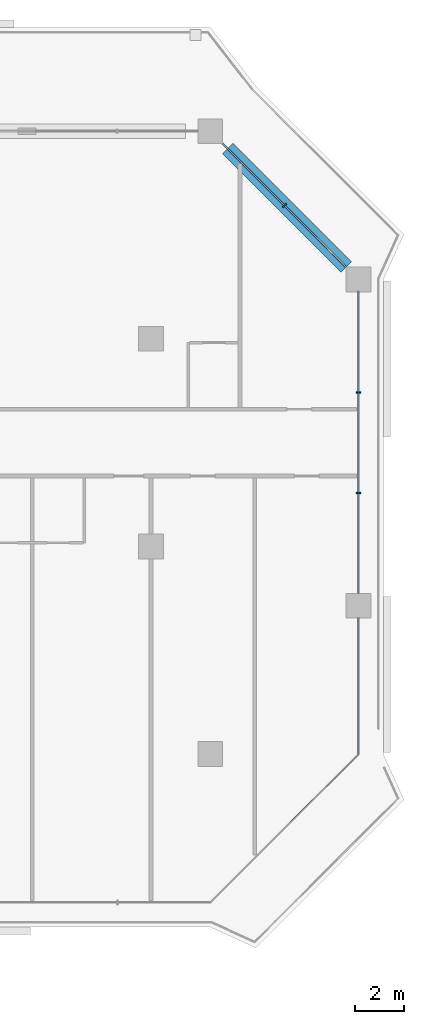
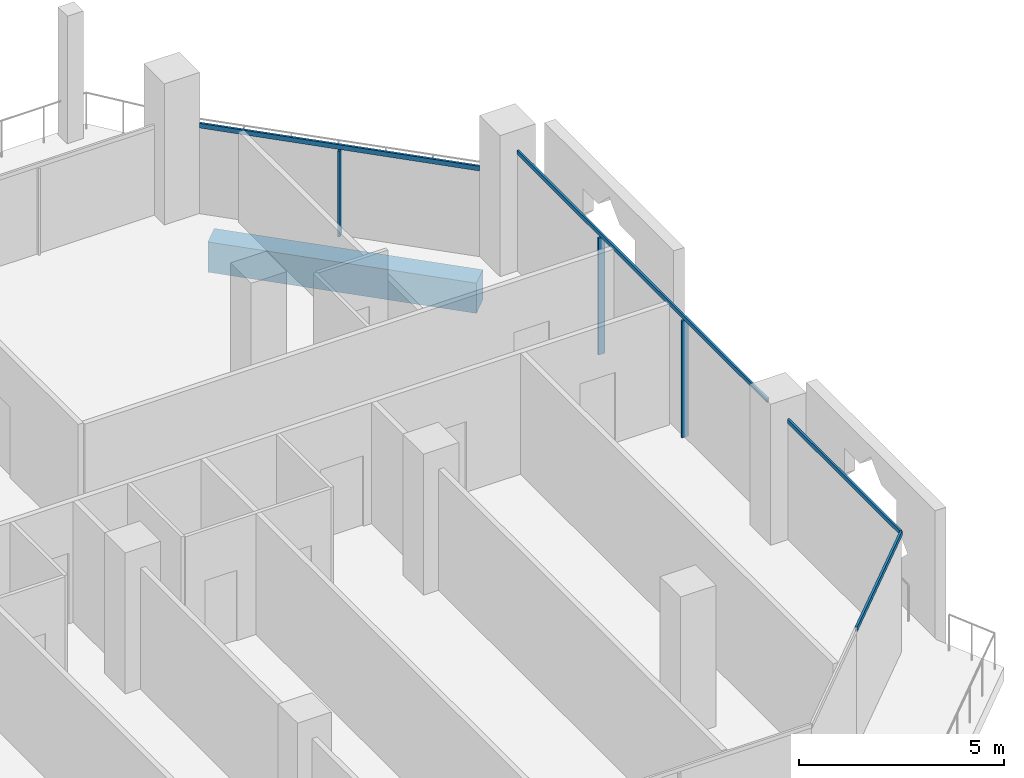
# One storey, part 7 of 22: 7 members, 1 beam, 3 elements without a shape of their own.
"""IFC4 building model written with IfcOpenShell, lengths in metres."""

from ifc_helpers import new_model, si_unit, direction, frame, origin, origin_2d, place, context, subcontext, project, spatial, rectangle, extrude, material, layer, layer_set, material_profile, profile_set, type_object, element, aggregate, save


model = new_model("IFC4")

# Units and contexts
model_context = context("Model", 3, precision=1e-05, world=origin(), true_north=direction((0.0, 1.0)))
body_context = subcontext(model_context, "Body", "Model", "MODEL_VIEW")
ifc_project = project(units=[si_unit("LENGTHUNIT", "METRE"), si_unit("AREAUNIT", "SQUARE_METRE"), si_unit("VOLUMEUNIT", "CUBIC_METRE"), si_unit("PLANEANGLEUNIT", "RADIAN"), si_unit("MASSUNIT", "GRAM", prefix="KILO")], contexts=[model_context])

# Site, building, storey
site_placement = place(None, origin())
site = spatial("IfcSite", under=ifc_project, at=site_placement, CompositionType="ELEMENT")
building_placement = place(site_placement, origin())
building = spatial("IfcBuilding", under=site, at=building_placement, Name="Kawkab Arch Medical Tower", CompositionType="ELEMENT")
storey_placement = place(building_placement, frame((0.0, 0.0, 171.0)))
storey = spatial("IfcBuildingStorey", under=building, at=storey_placement, Name="L39", CompositionType="ELEMENT", Elevation=171.0)

# Curtain wall, members
ifc_material_1 = material(Name="Bronze anodised aluminium curtain wall frame", Category="aluminium")
ifc_layer_1 = layer(ifc_material_1, 0.159912109375)
ifc_layer_set_1 = layer_set([ifc_layer_1], Name="Bronze anodised aluminium curtain wall frame")
curtain_wall_type_1 = type_object("IfcCurtainWallType", Name="CW1 ward curtain wall", PredefinedType="NOTDEFINED", material=ifc_layer_set_1)
placement = place(storey_placement, origin())
curtain_wall_1 = element("IfcCurtainWall", 1, at=placement, inside=storey, type_object=curtain_wall_type_1, Name="CW1 Ward curtain wall R09", PredefinedType="NOTDEFINED")
ifc_material_2 = material(Name="Bronze anodised aluminium curtain wall frame", Category="aluminium")
ifc_material_profile_1 = material_profile(ifc_material_2, rectangle(XDim=0.179931640625, YDim=0.06005859375, at=origin_2d()), Name="AL 60x180")
ifc_profile_set_1 = profile_set([ifc_material_profile_1], Name="Bronze anodised aluminium curtain wall frame")
member_type_1 = type_object("IfcMemberType", Name="CW1 mullion 60 x 180", PredefinedType="MULLION", material=ifc_profile_set_1)
member_1_placement = place(storey_placement, frame((67.199951171875, -14.63330078125, 0.0), z_axis=(0.0, 0.0, 1.0), x_axis=(-1.0, 0.0, 0.0)))
member_1 = element("IfcMember", 2, at=member_1_placement, type_object=member_type_1, Name="CW1 mullion 2.1", PredefinedType="MULLION", context=body_context, shape_type="SweptSolid", body=[
    extrude(rectangle(XDim=0.179931640625, YDim=0.06005859375, at=origin_2d()), origin(), (0.0, 0.0, 1.0), 3.47998046875),
])
member_2_placement = place(storey_placement, frame((67.199951171875, -10.566650390625, 0.0), z_axis=(0.0, 0.0, 1.0), x_axis=(-1.0, 0.0, 0.0)))
member_2 = element("IfcMember", 3, at=member_2_placement, type_object=member_type_1, Name="CW1 mullion 2.2", PredefinedType="MULLION", context=body_context, shape_type="SweptSolid", body=[
    extrude(rectangle(XDim=0.179931640625, YDim=0.06005859375, at=origin_2d()), origin(), (0.0, 0.0, 1.0), 3.47998046875),
])
ifc_material_3 = material(Name="Bronze anodised aluminium curtain wall frame", Category="aluminium")
ifc_material_profile_2 = material_profile(ifc_material_3, rectangle(XDim=0.06005859375, YDim=0.1201171875, at=origin_2d()), Name="AL 60x120")
ifc_profile_set_2 = profile_set([ifc_material_profile_2], Name="Bronze anodised aluminium curtain wall frame")
member_type_2 = type_object("IfcMemberType", Name="CW1 transom 120 x 60", PredefinedType="USERDEFINED", material=ifc_profile_set_2)
member_3_placement = place(storey_placement, frame((67.199951171875, -25.199951171875, 3.5400390625), z_axis=(0.0, 1.0, 0.0), x_axis=(-1.0, 0.0, 0.0)))
member_3 = element("IfcMember", 4, at=member_3_placement, type_object=member_type_2, Name="CW1 transom 1", ObjectType="TRANSOM", PredefinedType="USERDEFINED", context=body_context, shape_type="SweptSolid", body=[
    extrude(rectangle(XDim=0.06005859375, YDim=0.1201171875, at=origin_2d()), origin(), (0.0, 0.0, 1.0), 5.5),
])
member_4_placement = place(storey_placement, frame((67.199951171875, -18.699951171875, 3.5400390625), z_axis=(0.0, 1.0, 0.0), x_axis=(-1.0, 0.0, 0.0)))
member_4 = element("IfcMember", 5, at=member_4_placement, type_object=member_type_2, Name="CW1 transom 2", ObjectType="TRANSOM", PredefinedType="USERDEFINED", context=body_context, shape_type="SweptSolid", body=[
    extrude(rectangle(XDim=0.06005859375, YDim=0.1201171875, at=origin_2d()), origin(), (0.0, 0.0, 1.0), 12.199951171875),
])
aggregate(curtain_wall_1, [member_3, member_4, member_1, member_2])

# Curtain wall, member
ifc_material_4 = material(Name="Bronze anodised aluminium curtain wall frame", Category="aluminium")
ifc_layer_2 = layer(ifc_material_4, 0.159912109375)
ifc_layer_set_2 = layer_set([ifc_layer_2], Name="Bronze anodised aluminium curtain wall frame")
curtain_wall_type_2 = type_object("IfcCurtainWallType", Name="CW2 chamfer curtain wall", PredefinedType="NOTDEFINED", material=ifc_layer_set_2)
curtain_wall_2 = element("IfcCurtainWall", 6, at=placement, inside=storey, type_object=curtain_wall_type_2, Name="CW2 Chamfer curtain wall R10", PredefinedType="NOTDEFINED")
ifc_material_5 = material(Name="Bronze anodised aluminium curtain wall frame", Category="aluminium")
ifc_material_profile_3 = material_profile(ifc_material_5, rectangle(XDim=0.199951171875, YDim=0.06005859375, at=origin_2d()), Name="AL 60x200")
ifc_profile_set_3 = profile_set([ifc_material_profile_3], Name="Bronze anodised aluminium curtain wall frame")
member_type_3 = type_object("IfcMemberType", Name="CW2 mullion 60 x 200", PredefinedType="MULLION", material=ifc_profile_set_3)
member_5_placement = place(storey_placement, frame((64.199951171875, -3.0, 0.0), z_axis=(0.0, 0.0, 1.0), x_axis=(-0.707106781187, -0.707106781187, 0.0)))
member_5 = element("IfcMember", 7, at=member_5_placement, type_object=member_type_3, Name="CW2 mullion 1.1", PredefinedType="MULLION", context=body_context, shape_type="SweptSolid", body=[
    extrude(rectangle(XDim=0.199951171875, YDim=0.06005859375, at=origin_2d()), origin(), (0.0, 0.0, 1.0), 2.56005859375),
])

curtain_wall_3 = element("IfcCurtainWall", 8, at=placement, inside=storey, type_object=curtain_wall_type_2, Name="CW2 Chamfer curtain wall R08", PredefinedType="NOTDEFINED")
ifc_material_6 = material(Name="Bronze anodised aluminium curtain wall frame", Category="aluminium")
ifc_material_profile_4 = material_profile(ifc_material_6, rectangle(XDim=0.06005859375, YDim=0.139892578125, at=origin_2d()), Name="AL 60x140")
ifc_profile_set_4 = profile_set([ifc_material_profile_4], Name="Bronze anodised aluminium curtain wall frame")
member_type_4 = type_object("IfcMemberType", Name="CW2 transom 140 x 60", PredefinedType="USERDEFINED", material=ifc_profile_set_4)
member_6_placement = place(storey_placement, frame((64.199951171875, -28.199951171875, 3.530029296875), z_axis=(0.707106781187, 0.707106781187, 0.0), x_axis=(-0.707106781187, 0.707106781187, 0.0)))
member_6 = element("IfcMember", 9, at=member_6_placement, type_object=member_type_4, Name="CW2 transom 2", ObjectType="TRANSOM", PredefinedType="USERDEFINED", context=body_context, shape_type="SweptSolid", body=[
    extrude(rectangle(XDim=0.06005859375, YDim=0.139892578125, at=origin_2d()), origin(), (0.0, 0.0, 1.0), 4.24267578125),
])
aggregate(curtain_wall_3, [member_6])

# Member
member_7_placement = place(storey_placement, frame((66.699951171875, -5.5, 2.6298828125), z_axis=(-0.707106781187, 0.707106781187, 0.0), x_axis=(-0.707106781187, -0.707106781187, 0.0)))
member_7 = element("IfcMember", 10, at=member_7_placement, type_object=member_type_4, Name="CW2 transom 1", ObjectType="TRANSOM", PredefinedType="USERDEFINED", context=body_context, shape_type="SweptSolid", body=[
    extrude(rectangle(XDim=0.06005859375, YDim=0.139892578125, at=origin_2d()), origin(), (0.0, 0.0, 1.0), 7.071044921875),
])

aggregate(curtain_wall_2, [member_7, member_5])

# Beam
ifc_material_7 = material(Name="Concrete C50/60", Category="concrete")
ifc_material_profile_5 = material_profile(ifc_material_7, rectangle(XDim=0.60009765625, YDim=0.89990234375, at=origin_2d()), Name="RC 600x900")
ifc_profile_set_5 = profile_set([ifc_material_profile_5], Name="Concrete C50/60")
beam_type = type_object("IfcBeamType", Name="RC 600x900 beam C50/60", PredefinedType="BEAM", material=ifc_profile_set_5)
beam_placement = place(storey_placement, frame((61.89990234375, -0.699951171875, -1.050048828125), z_axis=(0.707106781187, -0.707106781187, 0.0), x_axis=(0.707106781187, 0.707106781187, 0.0)))
element("IfcBeam", 11, at=beam_placement, inside=storey, type_object=beam_type, Name="Overhang edge beam L39-08", PredefinedType="BEAM", context=body_context, shape_type="SweptSolid", body=[
    extrude(rectangle(XDim=0.60009765625, YDim=0.89990234375, at=origin_2d()), origin(), (0.0, 0.0, 1.0), 6.788330078125),
])

save(model, "model.ifc")
